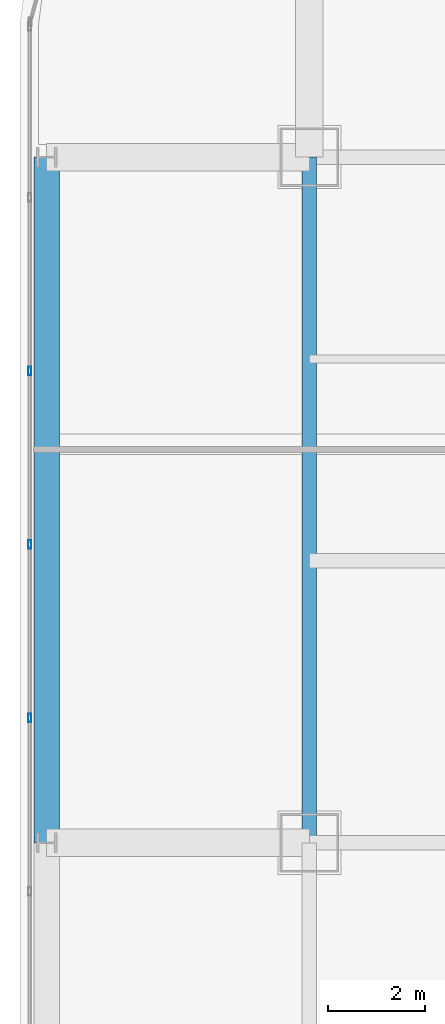
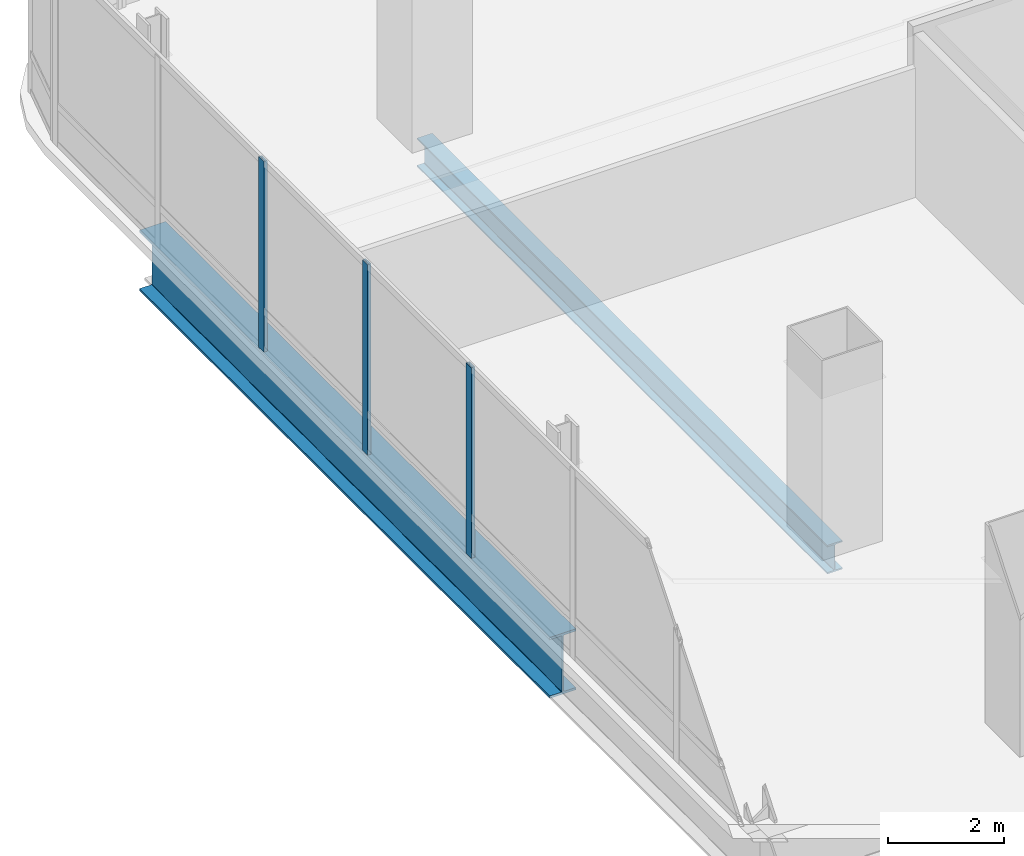
# One storey, part 13 of 41: 3 members, 2 beams, 1 element without a shape of its own.
"""IFC4 building model written with IfcOpenShell, lengths in metres."""

from ifc_helpers import new_model, si_unit, direction, frame, origin, origin_2d, place, context, subcontext, project, spatial, hollow_rectangle, i_section, extrude, material, material_profile, profile_set, type_object, element, aggregate, save


model = new_model("IFC4")

# Units and contexts
model_context = context("Model", 3, precision=1e-05, world=origin(), true_north=direction((0.0, 1.0)))
body_context = subcontext(model_context, "Body", "Model", "MODEL_VIEW")
ifc_project = project(units=[si_unit("LENGTHUNIT", "METRE"), si_unit("AREAUNIT", "SQUARE_METRE"), si_unit("VOLUMEUNIT", "CUBIC_METRE"), si_unit("PLANEANGLEUNIT", "RADIAN"), si_unit("MASSUNIT", "GRAM", prefix="KILO")], contexts=[model_context])

# Site, building, storey
site_placement = place(None, origin())
site = spatial("IfcSite", under=ifc_project, at=site_placement, CompositionType="ELEMENT")
building_placement = place(site_placement, origin())
building = spatial("IfcBuilding", under=site, at=building_placement, Name="Punatoya Terracotta Tower", CompositionType="ELEMENT")
storey_placement = place(building_placement, frame((0.0, 0.0, 288.0)))
storey = spatial("IfcBuildingStorey", under=building, at=storey_placement, Name="L68", CompositionType="ELEMENT", Elevation=288.0)

# Beams
ifc_material_1 = material(Name="Steel S355", Category="steel")
ifc_material_profile_1 = material_profile(ifc_material_1, i_section(OverallWidth=0.300048828125, OverallDepth=0.60009765625, WebThickness=0.015380859375, FlangeThickness=0.030029296875, FilletRadius=0.01806640625, at=origin_2d()))
ifc_profile_set_1 = profile_set([ifc_material_profile_1], Name="Steel S355")
beam_type_1 = type_object("IfcBeamType", Name="BM-PRI-600", PredefinedType="BEAM", material=ifc_profile_set_1)
beam_1_placement = place(storey_placement, frame((-19.10009765625, 3.39990234375, -0.5), z_axis=(0.0, 1.0, 0.0), x_axis=(-1.0, 0.0, 0.0)))
element("IfcBeam", 1, at=beam_1_placement, inside=storey, type_object=beam_type_1, Name="BM-L68-RG-W3", PredefinedType="BEAM", context=body_context, shape_type="SweptSolid", body=[
    extrude(i_section(OverallWidth=0.300048828125, OverallDepth=0.60009765625, WebThickness=0.015380859375, FlangeThickness=0.030029296875, FilletRadius=0.01806640625, at=origin_2d()), origin(), (0.0, 0.0, 1.0), 14.10009765625),
])
ifc_material_2 = material(Name="Steel S460", Category="steel")
ifc_material_profile_2 = material_profile(ifc_material_2, i_section(OverallWidth=0.52001953125, OverallDepth=1.280029296875, WebThickness=0.031982421875, FlangeThickness=0.050048828125, FilletRadius=0.01806640625, at=origin_2d()))
ifc_profile_set_2 = profile_set([ifc_material_profile_2], Name="Steel S460")
beam_type_2 = type_object("IfcBeamType", Name="BM-TG-NCK", PredefinedType="BEAM", material=ifc_profile_set_2)
beam_2_placement = place(storey_placement, frame((-24.5, 3.39990234375, -0.840087890625), z_axis=(0.0, 1.0, 0.0), x_axis=(-1.0, 0.0, 0.0)))
element("IfcBeam", 2, at=beam_2_placement, inside=storey, type_object=beam_type_2, Name="BM-L68-PER-W3", PredefinedType="BEAM", context=body_context, shape_type="SweptSolid", body=[
    extrude(i_section(OverallWidth=0.52001953125, OverallDepth=1.280029296875, WebThickness=0.031982421875, FlangeThickness=0.050048828125, FilletRadius=0.01806640625, at=origin_2d()), origin(), (0.0, 0.0, 1.0), 14.10009765625),
])

# Curtain wall, members
ifc_material_3 = material(Name="Aluminium 6063-T6 + Double Low-E Glass", Category="aluminium")
curtain_wall_type = type_object("IfcCurtainWallType", Name="CW-M3", PredefinedType="NOTDEFINED", material=ifc_material_3)
curtain_wall_placement = place(storey_placement, origin())
curtain_wall = element("IfcCurtainWall", 3, at=curtain_wall_placement, inside=storey, type_object=curtain_wall_type, Name="L68 Curtain Wall CW-L68-W13-1", PredefinedType="NOTDEFINED")
ifc_material_4 = material(Name="Aluminium 6063-T6", Category="aluminium")
ifc_material_profile_3 = material_profile(ifc_material_4, hollow_rectangle(XDim=0.070068359375, YDim=0.179931640625, WallThickness=0.00390625, at=origin_2d()))
ifc_profile_set_3 = profile_set([ifc_material_profile_3], Name="Aluminium 6063-T6")
member_type = type_object("IfcMemberType", Name="CW-MUL-M3", PredefinedType="MULLION", material=ifc_profile_set_3)
member_1_placement = place(storey_placement, frame((-24.85009765625, 13.10205078125, 0.0), z_axis=(0.0, 0.0, 1.0), x_axis=(1.0, 0.0, 0.0)))
member_1 = element("IfcMember", 4, at=member_1_placement, type_object=member_type, Name="CW-L68-W13-1 Mullion 02", PredefinedType="MULLION", context=body_context, shape_type="SweptSolid", body=[
    extrude(hollow_rectangle(XDim=0.070068359375, YDim=0.179931640625, WallThickness=0.00390625, at=origin_2d()), origin(), (0.0, 0.0, 1.0), 4.0),
])
member_2_placement = place(storey_placement, frame((-24.85009765625, 9.534912109375, 0.0), z_axis=(0.0, 0.0, 1.0), x_axis=(1.0, 0.0, 0.0)))
member_2 = element("IfcMember", 5, at=member_2_placement, type_object=member_type, Name="CW-L68-W13-1 Mullion 03", PredefinedType="MULLION", context=body_context, shape_type="SweptSolid", body=[
    extrude(hollow_rectangle(XDim=0.070068359375, YDim=0.179931640625, WallThickness=0.00390625, at=origin_2d()), origin(), (0.0, 0.0, 1.0), 4.0),
])
member_3_placement = place(storey_placement, frame((-24.85009765625, 5.96728515625, 0.0), z_axis=(0.0, 0.0, 1.0), x_axis=(1.0, 0.0, 0.0)))
member_3 = element("IfcMember", 6, at=member_3_placement, type_object=member_type, Name="CW-L68-W13-1 Mullion 04", PredefinedType="MULLION", context=body_context, shape_type="SweptSolid", body=[
    extrude(hollow_rectangle(XDim=0.070068359375, YDim=0.179931640625, WallThickness=0.00390625, at=origin_2d()), origin(), (0.0, 0.0, 1.0), 4.0),
])
aggregate(curtain_wall, [member_1, member_2, member_3])

save(model, "model.ifc")
